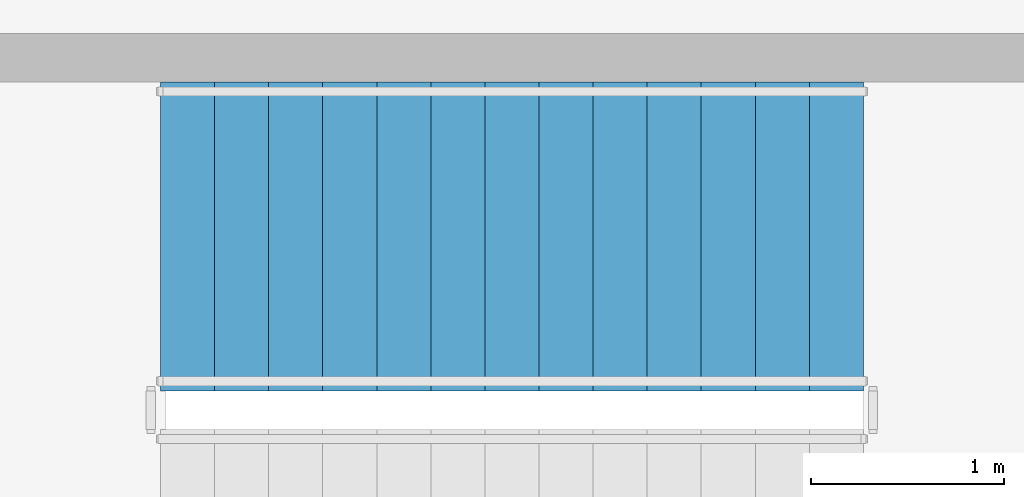
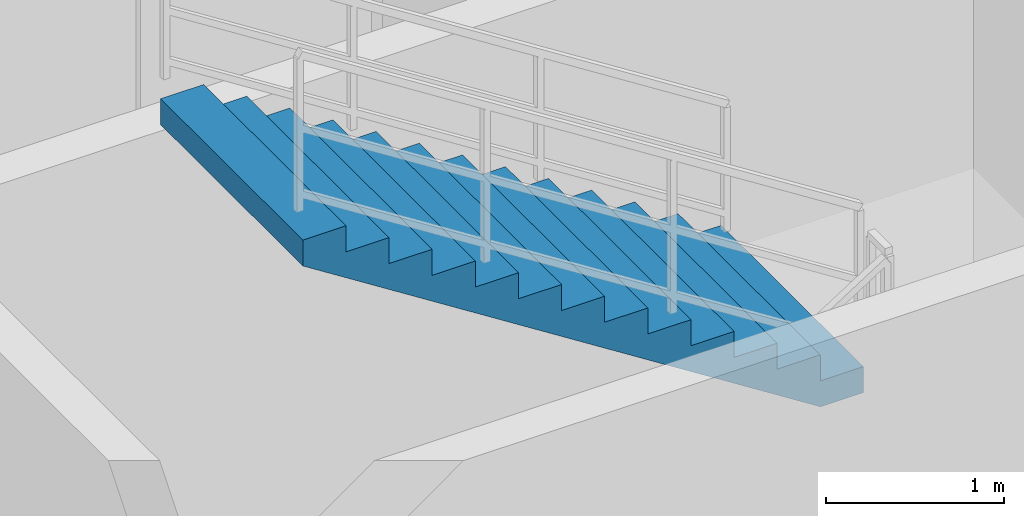
# One storey, part 21 of 26: 1 stair flight, 1 element without a shape of its own.
"""IFC4 building model written with IfcOpenShell, lengths in metres."""

from ifc_helpers import new_model, si_unit, direction, frame, origin, place, context, subcontext, project, spatial, polyline, outline, extrude, material, type_object, element, aggregate, save


model = new_model("IFC4")

# Units and contexts
model_context = context("Model", 3, precision=1e-05, world=origin(), true_north=direction((0.0, 1.0)))
body_context = subcontext(model_context, "Body", "Model", "MODEL_VIEW")
ifc_project = project(units=[si_unit("LENGTHUNIT", "METRE"), si_unit("AREAUNIT", "SQUARE_METRE"), si_unit("VOLUMEUNIT", "CUBIC_METRE"), si_unit("PLANEANGLEUNIT", "RADIAN"), si_unit("MASSUNIT", "GRAM", prefix="KILO")], contexts=[model_context])

# Site, building, storey
site_placement = place(None, origin())
site = spatial("IfcSite", under=ifc_project, at=site_placement, CompositionType="ELEMENT")
building_placement = place(site_placement, origin())
building = spatial("IfcBuilding", under=site, at=building_placement, Name="Zulverin Broadcast Headquarters", CompositionType="ELEMENT")
storey_placement = place(building_placement, frame((0.0, 0.0, 20.0)))
storey = spatial("IfcBuildingStorey", under=building, at=storey_placement, Name="L04", CompositionType="ELEMENT", Elevation=20.0)

# Stair, stair flight
ifc_material = material(Name="Concrete C40/50", Category="concrete")
stair_type = type_object("IfcStairType", Name="ST-POD-1600", PredefinedType="HALF_TURN_STAIR", material=ifc_material)
stair_placement = place(storey_placement, origin())
stair = element("IfcStair", 1, at=stair_placement, inside=storey, type_object=stair_type, Name="L04 Podium Exit Stair ST-4", PredefinedType="HALF_TURN_STAIR")
stair_flight_type = type_object("IfcStairFlightType", Name="SF-POD-1600", PredefinedType="STRAIGHT", material=ifc_material)
stair_flight_placement = place(storey_placement, frame((71.610107421875, 42.699951171875, 2.5), z_axis=(0.0, 0.0, 1.0), x_axis=(-1.0, 0.0, 0.0)))
stair_flight = element("IfcStairFlight", 2, at=stair_flight_placement, type_object=stair_flight_type, Name="ST-4 flight 2", NumberOfRisers=14, NumberOfTreads=13, PredefinedType="STRAIGHT", RiserHeight=0.178571429, TreadLength=0.28, context=body_context, shape_type="SweptSolid", body=[
    extrude(outline(polyline([(0.0, 0.0), (0.0, 0.178466796875), (0.280029296875, 0.178466796875), (0.280029296875, 0.357177734375), (0.56005859375, 0.357177734375), (0.56005859375, 0.53564453125), (0.840087890625, 0.53564453125), (0.840087890625, 0.71435546875), (1.1201171875, 0.71435546875), (1.1201171875, 0.892822265625), (1.39990234375, 0.892822265625), (1.39990234375, 1.071533203125), (1.679931640625, 1.071533203125), (1.679931640625, 1.25), (1.9599609375, 1.25), (1.9599609375, 1.428466796875), (2.239990234375, 1.428466796875), (2.239990234375, 1.607177734375), (2.52001953125, 1.607177734375), (2.52001953125, 1.78564453125), (2.800048828125, 1.78564453125), (2.800048828125, 1.96435546875), (3.080078125, 1.96435546875), (3.080078125, 2.142822265625), (3.360107421875, 2.142822265625), (3.360107421875, 2.321533203125), (3.639892578125, 2.321533203125), (3.639892578125, 2.5), (3.639892578125, 2.1435546875), (0.27880859375, 0.0), (0.0, 0.0)])), frame((0.0, 0.800048828125, 0.0), z_axis=(0.0, -1.0, 0.0), x_axis=(1.0, 0.0, 0.0)), (0.0, 0.0, 1.0), 1.60009765625),
])
aggregate(stair, [stair_flight])

save(model, "model.ifc")
